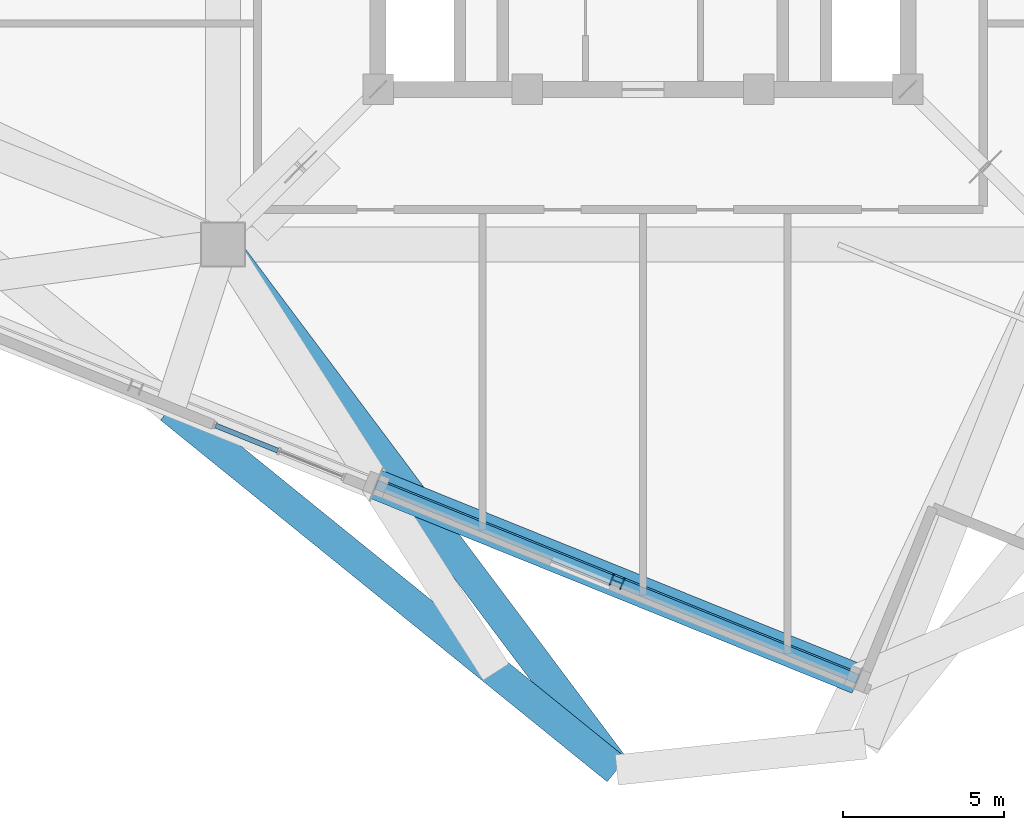
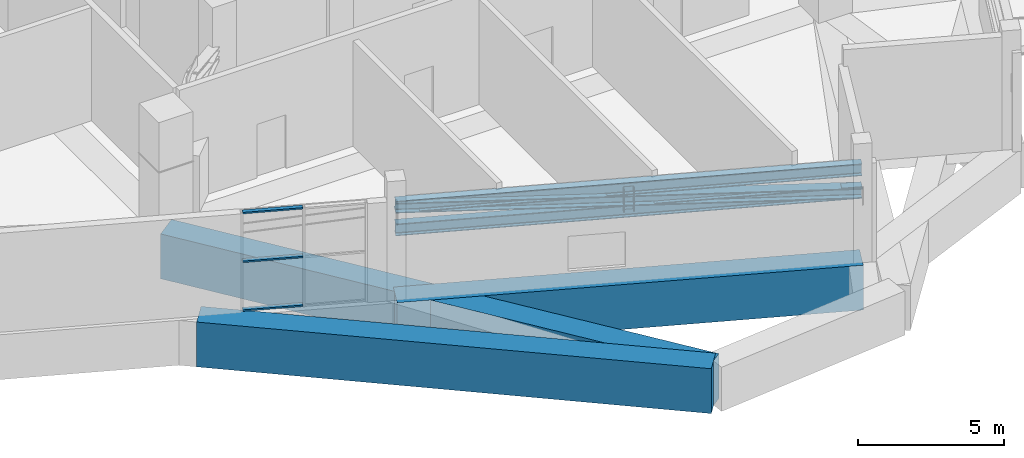
# One storey, part 3 of 20: 7 members, 3 beams, 1 element without a shape of its own.
"""IFC4 building model written with IfcOpenShell, lengths in metres."""

from ifc_helpers import new_model, si_unit, direction, frame, origin, origin_2d, place, context, subcontext, project, spatial, rectangle, hollow_rectangle, i_section, extrude, source, transform, mapped, material, layer, layer_set, material_profile, profile_set, type_object, element, aggregate, save


model = new_model("IFC4")

# Units and contexts
model_context = context("Model", 3, precision=1e-05, world=origin(), true_north=direction((0.0, 1.0)))
body_context = subcontext(model_context, "Body", "Model", "MODEL_VIEW")
ifc_project = project(units=[si_unit("LENGTHUNIT", "METRE"), si_unit("AREAUNIT", "SQUARE_METRE"), si_unit("VOLUMEUNIT", "CUBIC_METRE"), si_unit("PLANEANGLEUNIT", "RADIAN"), si_unit("MASSUNIT", "GRAM", prefix="KILO"), si_unit("THERMODYNAMICTEMPERATUREUNIT", "KELVIN")], contexts=[model_context])

# Site, building, storey
site_placement = place(None, origin())
site = spatial("IfcSite", under=ifc_project, at=site_placement, CompositionType="ELEMENT")
building_placement = place(site_placement, origin())
building = spatial("IfcBuilding", under=site, at=building_placement, Name="Kosmvard Interchange Tower", CompositionType="ELEMENT")
storey_placement = place(building_placement, frame((0.0, 0.0, 260.199951171875)))
storey = spatial("IfcBuildingStorey", under=building, at=storey_placement, Name="L63", CompositionType="ELEMENT", Elevation=260.199951171875)

# Beams
ifc_material_1 = material(Name="Concrete C60/75", Category="concrete")
ifc_material_profile_1 = material_profile(ifc_material_1, rectangle(XDim=0.949951171875, YDim=1.8798828125, at=origin_2d()), Name="TG 950x1880")
ifc_profile_set_1 = profile_set([ifc_material_profile_1], Name="Concrete C60/75")
beam_type = type_object("IfcBeamType", Name="Upper Long-Span Transfer Girder 950x1880 C60/75", PredefinedType="USERDEFINED", material=ifc_profile_set_1)
shared_shape_1 = source(origin(), body_context, "Body", "SweptSolid", [
    extrude(rectangle(XDim=0.949951171875, YDim=1.8798828125, at=origin_2d()), origin(), (0.0, 0.0, 1.0), 17.89990234375),
])
beam_1_placement = place(storey_placement, frame((-14.72607421875, -18.185302734375, -0.93994140625), z_axis=(0.777150526976, -0.629314753061, 0.0), x_axis=(0.629314753061, 0.777150526976, 0.0)))
element("IfcBeam", 1, at=beam_1_placement, inside=storey, type_object=beam_type, Name="BM-L63-LR11", ObjectType="TRANSFER_GIRDER", PredefinedType="USERDEFINED", context=body_context, shape_type="MappedRepresentation", body=[
    mapped(shared_shape_1, transform((0.0, 0.0, 0.0), scale=1.0)),
])
shared_shape_2 = source(origin(), body_context, "Body", "SweptSolid", [
    extrude(rectangle(XDim=0.949951171875, YDim=1.8798828125, at=origin_2d()), origin(), (0.0, 0.0, 1.0), 20.45458984375),
])
beam_2_placement = place(storey_placement, frame((-13.0810546875, -13.0810546875, -0.93994140625), z_axis=(0.599661927179, -0.800253443036, 0.0), x_axis=(0.800253443036, 0.599661927179, 0.0)))
element("IfcBeam", 2, at=beam_2_placement, inside=storey, type_object=beam_type, Name="BM-L63-LD12", ObjectType="TRANSFER_GIRDER", PredefinedType="USERDEFINED", context=body_context, shape_type="MappedRepresentation", body=[
    mapped(shared_shape_2, transform((0.0, 0.0, 0.0), scale=1.0)),
])
shared_shape_3 = source(origin(), body_context, "Body", "SweptSolid", [
    extrude(rectangle(XDim=0.949951171875, YDim=1.8798828125, at=origin_2d()), origin(), (0.0, 0.0, 1.0), 16.1748046875),
])
beam_3_placement = place(storey_placement, frame((-8.306884765625, -20.560302734375, -0.93994140625), z_axis=(0.92718135387, -0.374612782798, 0.0), x_axis=(0.374612782798, 0.92718135387, 0.0)))
element("IfcBeam", 3, at=beam_3_placement, inside=storey, type_object=beam_type, Name="BM-L63-PR11", ObjectType="TRANSFER_GIRDER", PredefinedType="USERDEFINED", context=body_context, shape_type="MappedRepresentation", body=[
    mapped(shared_shape_3, transform((0.0, 0.0, 0.0), scale=1.0)),
])

# Members
ifc_material_2 = material(Name="Steel S460", Category="steel")
ifc_material_profile_2 = material_profile(ifc_material_2, i_section(OverallWidth=0.300048828125, OverallDepth=0.5, WebThickness=0.014404296875, FlangeThickness=0.028076171875, FilletRadius=0.027099609375, at=origin_2d()), Name="HEB 500")
ifc_profile_set_2 = profile_set([ifc_material_profile_2], Name="Steel S460")
member_type_1 = type_object("IfcMemberType", Name="Belt Truss Chord HEB 500 S460", PredefinedType="CHORD", material=ifc_profile_set_2)
shared_shape_4 = source(origin(), body_context, "Body", "SweptSolid", [
    extrude(i_section(OverallWidth=0.300048828125, OverallDepth=0.5, WebThickness=0.014404296875, FlangeThickness=0.028076171875, FilletRadius=0.027099609375, at=origin_2d()), origin(), (0.0, 0.0, 1.0), 16.1748046875),
])
for number, where, z_axis, x_axis, name in (
    (4, (-8.306884765625, -20.560302734375, 2.820068359375), (0.92718135387, -0.374612782798, 0.0), (0.374612782798, 0.92718135387, 0.0), "L63 Belt Truss Bottom Chord W2"),
    (5, (-8.306884765625, -20.560302734375, 3.77001953125), (0.92718135387, -0.374612782798, 0.0), (0.374612782798, 0.92718135387, 0.0), "L63 Belt Truss Top Chord W2"),
):
    element("IfcMember", number, at=place(storey_placement, frame(where, z_axis=z_axis, x_axis=x_axis)), inside=storey, type_object=member_type_1, Name=name, PredefinedType="CHORD", context=body_context, shape_type="MappedRepresentation", body=[
        mapped(shared_shape_4, transform((0.0, 0.0, 0.0), scale=1.0)),
    ])
ifc_material_profile_3 = material_profile(ifc_material_2, i_section(OverallWidth=0.3759765625, OverallDepth=0.386962890625, WebThickness=0.01953125, FlangeThickness=0.031982421875, FilletRadius=0.014892578125, at=origin_2d()), Name="HD 360x329")
ifc_profile_set_3 = profile_set([ifc_material_profile_3], Name="Steel S460")
member_type_2 = type_object("IfcMemberType", Name="Belt Truss Vertical Post HD 360x329 S460", PredefinedType="STUD", material=ifc_profile_set_3)
shared_shape_5 = source(origin(), body_context, "Body", "SweptSolid", [
    extrude(i_section(OverallWidth=0.3759765625, OverallDepth=0.386962890625, WebThickness=0.01953125, FlangeThickness=0.031982421875, FilletRadius=0.014892578125, at=origin_2d()), origin(), (0.0, 0.0, 1.0), 0.949951171875),
])
member_1_placement = place(storey_placement, frame((-0.808349609375, -23.58984375, 2.820068359375), z_axis=(0.0, 0.0, 1.0), x_axis=(0.374606593416, 0.927183854567, 0.0)))
element("IfcMember", 6, at=member_1_placement, inside=storey, type_object=member_type_2, Name="L63 Belt Truss Post W2", PredefinedType="STUD", context=body_context, shape_type="MappedRepresentation", body=[
    mapped(shared_shape_5, transform((0.0, 0.0, 0.0), scale=1.0)),
])
ifc_material_profile_4 = material_profile(ifc_material_2, i_section(OverallWidth=0.406005859375, OverallDepth=0.416015625, WebThickness=0.021484375, FlangeThickness=0.034912109375, FilletRadius=0.014892578125, at=origin_2d()), Name="HD 400x382")
ifc_profile_set_4 = profile_set([ifc_material_profile_4], Name="Steel S460")
member_type_3 = type_object("IfcMemberType", Name="Perimeter Belt Truss Diagonal HD 400x382 S460", PredefinedType="BRACE", material=ifc_profile_set_4)
shared_shape_6 = source(origin(), body_context, "Body", "SweptSolid", [
    extrude(i_section(OverallWidth=0.406005859375, OverallDepth=0.416015625, WebThickness=0.021484375, FlangeThickness=0.034912109375, FilletRadius=0.014892578125, at=origin_2d()), origin(), (0.0, 0.0, 1.0), 16.202880859375),
])
member_2_placement = place(storey_placement, frame((6.690185546875, -26.61962890625, 2.820068359375), z_axis=(-0.925586458945, 0.373968391036, 0.058628913716), x_axis=(-0.374612782798, -0.92718135387, 0.0)))
element("IfcMember", 7, at=member_2_placement, inside=storey, type_object=member_type_3, Name="L63 Belt Truss Diagonal W2", PredefinedType="BRACE", context=body_context, shape_type="MappedRepresentation", body=[
    mapped(shared_shape_6, transform((0.0, 0.0, 0.0), scale=1.0)),
])

# Curtain wall, members
ifc_material_3 = material(Name="Architectural anodised aluminium", Category="aluminium")
ifc_layer = layer(ifc_material_3, 0.2099609375, Name="Architectural anodised aluminium")
ifc_layer_set = layer_set([ifc_layer], Name="Architectural anodised aluminium")
curtain_wall_type = type_object("IfcCurtainWallType", Name="CW-4 Refuge Transfer Glazed Louvre Wall", PredefinedType="NOTDEFINED", material=ifc_layer_set)
curtain_wall_placement = place(storey_placement, origin())
curtain_wall = element("IfcCurtainWall", 8, at=curtain_wall_placement, inside=storey, type_object=curtain_wall_type, Name="L63 Transfer Louvre Curtain Wall W", PredefinedType="NOTDEFINED")
ifc_material_profile_5 = material_profile(ifc_material_3, hollow_rectangle(XDim=0.159912109375, YDim=0.06494140625, WallThickness=0.00390625, at=origin_2d()), Name="CWT 160x65x4")
ifc_profile_set_5 = profile_set([ifc_material_profile_5], Name="Architectural anodised aluminium")
member_type_4 = type_object("IfcMemberType", Name="Standard CW Transom 160x65 Aluminium", PredefinedType="USERDEFINED", material=ifc_profile_set_5)
shared_shape_7 = source(origin(), body_context, "Body", "SweptSolid", [
    extrude(hollow_rectangle(XDim=0.159912109375, YDim=0.06494140625, WallThickness=0.00390625, at=origin_2d()), origin(), (0.0, 0.0, 1.0), 2.087646484375),
])
member_3_placement = place(storey_placement, frame((-13.307861328125, -18.72314453125, 0.032470703125), z_axis=(0.92718872564, -0.37459453686, 0.0), x_axis=(0.37459453686, 0.92718872564, 0.0)))
member_3 = element("IfcMember", 9, at=member_3_placement, type_object=member_type_4, Name="CW-4 transom 1.1", ObjectType="TRANSOM", PredefinedType="USERDEFINED", context=body_context, shape_type="MappedRepresentation", body=[
    mapped(shared_shape_7, transform((0.0, 0.0, 0.0), scale=1.0)),
])
member_4_placement = place(storey_placement, frame((-13.307861328125, -18.72314453125, 2.074951171875), z_axis=(0.92718872564, -0.37459453686, 0.0), x_axis=(0.37459453686, 0.92718872564, 0.0)))
member_4 = element("IfcMember", 10, at=member_4_placement, type_object=member_type_4, Name="CW-4 transom 1.2", ObjectType="TRANSOM", PredefinedType="USERDEFINED", context=body_context, shape_type="MappedRepresentation", body=[
    mapped(shared_shape_7, transform((0.0, 0.0, 0.0), scale=1.0)),
])
member_5_placement = place(storey_placement, frame((-13.307861328125, -18.72314453125, 4.117431640625), z_axis=(0.92718872564, -0.37459453686, 0.0), x_axis=(0.37459453686, 0.92718872564, 0.0)))
member_5 = element("IfcMember", 11, at=member_5_placement, type_object=member_type_4, Name="CW-4 transom 1.3", ObjectType="TRANSOM", PredefinedType="USERDEFINED", context=body_context, shape_type="MappedRepresentation", body=[
    mapped(shared_shape_7, transform((0.0, 0.0, 0.0), scale=1.0)),
])
aggregate(curtain_wall, [member_3, member_4, member_5])

save(model, "model.ifc")
